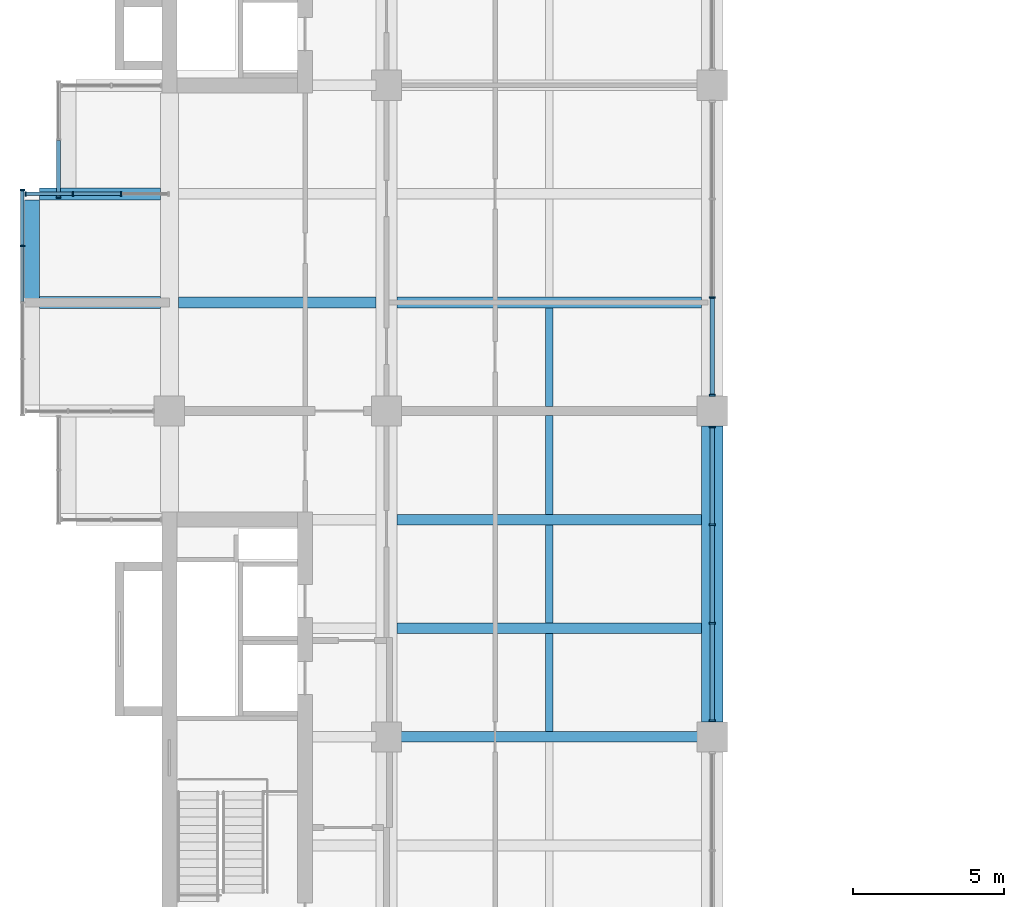
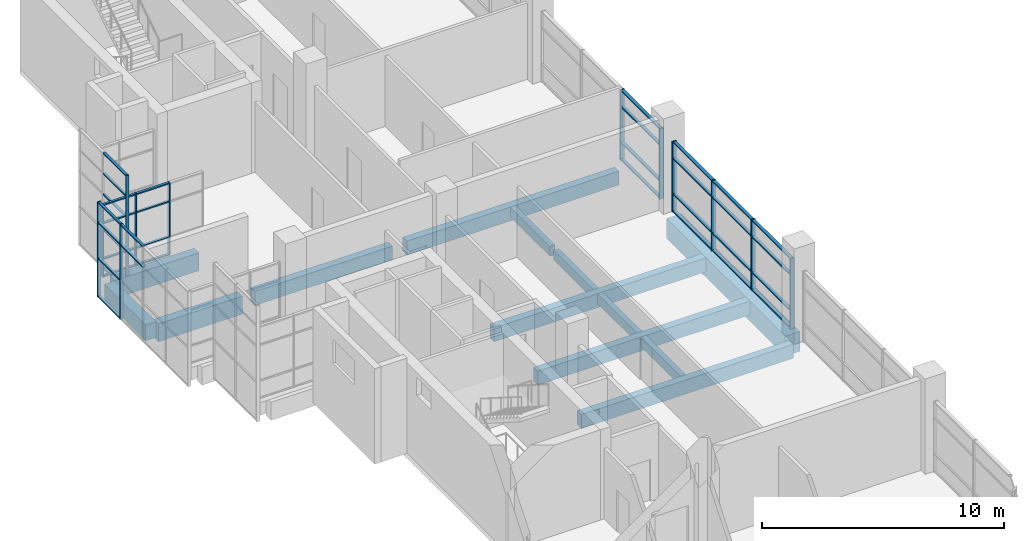
# One storey, part 8 of 30: 47 members, 13 beams, 5 elements without a shape of their own.
"""IFC4 building model written with IfcOpenShell, lengths in metres."""

from ifc_helpers import new_model, si_unit, direction, frame, origin, origin_2d, place, context, subcontext, project, spatial, rectangle, extrude, material, layer, layer_set, material_profile, profile_set, type_object, element, aggregate, save


model = new_model("IFC4")

# Units and contexts
model_context = context("Model", 3, precision=1e-05, world=origin(), true_north=direction((0.0, 1.0)))
body_context = subcontext(model_context, "Body", "Model", "MODEL_VIEW")
ifc_project = project(units=[si_unit("LENGTHUNIT", "METRE"), si_unit("AREAUNIT", "SQUARE_METRE"), si_unit("VOLUMEUNIT", "CUBIC_METRE"), si_unit("PLANEANGLEUNIT", "RADIAN"), si_unit("MASSUNIT", "GRAM", prefix="KILO")], contexts=[model_context])

# Site, building, storey
site_placement = place(None, origin())
site = spatial("IfcSite", under=ifc_project, at=site_placement, CompositionType="ELEMENT")
building_placement = place(site_placement, origin())
building = spatial("IfcBuilding", under=site, at=building_placement, Name="Basin Gate Institute", CompositionType="ELEMENT")
storey_placement = place(building_placement, frame((0.0, 0.0, 36.60009765625)))
storey = spatial("IfcBuildingStorey", under=building, at=storey_placement, Name="L07", CompositionType="ELEMENT", Elevation=36.60009765625)

# Beams
ifc_material_1 = material(Name="Concrete 40 MPa", Category="concrete")
ifc_material_profile_1 = material_profile(ifc_material_1, rectangle(XDim=0.35009765625, YDim=0.699951171875, at=origin_2d()), Name="Beam B1 350 x 700")
ifc_profile_set_1 = profile_set([ifc_material_profile_1], Name="Concrete 40 MPa")
beam_type_1 = type_object("IfcBeamType", Name="Beam B1 R120", PredefinedType="BEAM", material=ifc_profile_set_1)
for number, where, z_axis, x_axis, name in (
    (1, (68.75, 67.5, -0.60009765625), (1.0, 0.0, 0.0), (0.0, 1.0, 0.0), "BEAM/L07/W/EW/10"),
    (2, (68.75, 71.10009765625, -0.60009765625), (1.0, 0.0, 0.0), (0.0, 1.0, 0.0), "BEAM/L07/W/EW/11"),
    (3, (68.75, 74.699951171875, -0.60009765625), (1.0, 0.0, 0.0), (0.0, 1.0, 0.0), "BEAM/L07/W/EW/12"),
    (4, (68.75, 81.89990234375, -0.60009765625), (1.0, 0.0, 0.0), (0.0, 1.0, 0.0), "BEAM/L07/W/EW/14"),
):
    element("IfcBeam", number, at=place(storey_placement, frame(where, z_axis=z_axis, x_axis=x_axis)), inside=storey, type_object=beam_type_1, material=ifc_profile_set_1, Name=name, PredefinedType="BEAM", context=body_context, shape_type="SweptSolid", body=[
        extrude(rectangle(XDim=0.35009765625, YDim=0.699951171875, at=origin_2d()), origin(), (0.0, 0.0, 1.0), 10.10009765625),
    ])
beam_1_placement = place(storey_placement, frame((61.5, 81.89990234375, -0.60009765625), z_axis=(1.0, 0.0, 0.0), x_axis=(0.0, 1.0, 0.0)))
element("IfcBeam", 5, at=beam_1_placement, inside=storey, type_object=beam_type_1, material=ifc_profile_set_1, Name="BEAM/L07/W/OUT/14", PredefinedType="BEAM", context=body_context, shape_type="SweptSolid", body=[
    extrude(rectangle(XDim=0.35009765625, YDim=0.699951171875, at=origin_2d()), origin(), (0.0, 0.0, 1.0), 6.550048828125),
])
ifc_material_2 = material(Name="Concrete 50 MPa", Category="concrete")
ifc_material_profile_2 = material_profile(ifc_material_2, rectangle(XDim=0.39990234375, YDim=0.89990234375, at=origin_2d()), Name="Cantilever beam B3 400 x 900")
ifc_profile_set_2 = profile_set([ifc_material_profile_2], Name="Concrete 50 MPa")
beam_type_2 = type_object("IfcBeamType", Name="Cantilever beam B3 R120", PredefinedType="BEAM", material=ifc_profile_set_2)
for number, where, z_axis, x_axis, name in (
    (6, (56.89990234375, 81.89990234375, -0.7001953125), (1.0, 0.0, 0.0), (0.0, 1.0, 0.0), "BEAM/L07/W/CANT/14"),
    (7, (56.89990234375, 85.5, -0.7001953125), (1.0, 0.0, 0.0), (0.0, 1.0, 0.0), "BEAM/L07/W/CANT/15"),
):
    element("IfcBeam", number, at=place(storey_placement, frame(where, z_axis=z_axis, x_axis=x_axis)), inside=storey, type_object=beam_type_2, material=ifc_profile_set_2, Name=name, PredefinedType="BEAM", context=body_context, shape_type="SweptSolid", body=[
        extrude(rectangle(XDim=0.39990234375, YDim=0.89990234375, at=origin_2d()), origin(), (0.0, 0.0, 1.0), 4.0),
    ])
ifc_material_3 = material(Name="Concrete 50 MPa", Category="concrete")
ifc_material_profile_3 = material_profile(ifc_material_3, rectangle(XDim=0.699951171875, YDim=1.0, at=origin_2d()), Name="Girder G1 700 x 1000")
ifc_profile_set_3 = profile_set([ifc_material_profile_3], Name="Concrete 50 MPa")
beam_type_3 = type_object("IfcBeamType", Name="Girder G1 R120", PredefinedType="BEAM", material=ifc_profile_set_3)
beam_2_placement = place(storey_placement, frame((79.199951171875, 68.0, -0.75), z_axis=(0.0, 1.0, 0.0), x_axis=(-1.0, 0.0, 0.0)))
element("IfcBeam", 8, at=beam_2_placement, inside=storey, type_object=beam_type_3, material=ifc_profile_set_3, Name="GIR/L07/W6/4", PredefinedType="BEAM", context=body_context, shape_type="SweptSolid", body=[
    extrude(rectangle(XDim=0.699951171875, YDim=1.0, at=origin_2d()), origin(), (0.0, 0.0, 1.0), 9.800048828125),
])

# Curtain wall, members
ifc_material_4 = material(Name="Aluminium-framed glazing", Category="aluminium")
ifc_layer_1 = layer(ifc_material_4, 0.14990234375)
ifc_layer_set_1 = layer_set([ifc_layer_1], Name="Capsule front curtain wall CW1")
curtain_wall_type_1 = type_object("IfcCurtainWallType", Name="Capsule front curtain wall CW1", PredefinedType="NOTDEFINED", material=ifc_layer_set_1)
curtain_wall_1_placement = place(storey_placement, origin())
curtain_wall_1 = element("IfcCurtainWall", 9, at=curtain_wall_1_placement, inside=storey, type_object=curtain_wall_type_1, material=ifc_layer_set_1, Name="Capsule front curtain wall W wing capsule end L07 line 15", PredefinedType="NOTDEFINED")
ifc_material_5 = material(Name="Aluminium", Category="aluminium")
ifc_material_profile_4 = material_profile(ifc_material_5, rectangle(XDim=0.14990234375, YDim=0.050048828125, at=origin_2d()), Name="Mullion MU1 150 x 50")
ifc_profile_set_4 = profile_set([ifc_material_profile_4], Name="Aluminium")
member_type_1 = type_object("IfcMemberType", Name="Mullion MU1", PredefinedType="MULLION", material=ifc_profile_set_4)
member_1_placement = place(storey_placement, frame((56.425048828125, 85.5, 0.0), z_axis=(0.0, 0.0, 1.0), x_axis=(0.0, 1.0, 0.0)))
member_1 = element("IfcMember", 10, at=member_1_placement, type_object=member_type_1, material=ifc_profile_set_4, Name="CW1 mullion 1", PredefinedType="MULLION", context=body_context, shape_type="SweptSolid", body=[
    extrude(rectangle(XDim=0.14990234375, YDim=0.050048828125, at=origin_2d()), origin(), (0.0, 0.0, 1.0), 3.64990234375),
])
member_2_placement = place(storey_placement, frame((58.0, 85.5, 0.0), z_axis=(0.0, 0.0, 1.0), x_axis=(0.0, 1.0, 0.0)))
member_2 = element("IfcMember", 11, at=member_2_placement, type_object=member_type_1, material=ifc_profile_set_4, Name="CW1 mullion 2", PredefinedType="MULLION", context=body_context, shape_type="SweptSolid", body=[
    extrude(rectangle(XDim=0.14990234375, YDim=0.050048828125, at=origin_2d()), origin(), (0.0, 0.0, 1.0), 3.64990234375),
])
member_3_placement = place(storey_placement, frame((59.60009765625, 85.5, 0.0), z_axis=(0.0, 0.0, 1.0), x_axis=(0.0, 1.0, 0.0)))
member_3 = element("IfcMember", 12, at=member_3_placement, type_object=member_type_1, material=ifc_profile_set_4, Name="CW1 mullion 3", PredefinedType="MULLION", context=body_context, shape_type="SweptSolid", body=[
    extrude(rectangle(XDim=0.14990234375, YDim=0.050048828125, at=origin_2d()), origin(), (0.0, 0.0, 1.0), 3.64990234375),
])

curtain_wall_2_placement = place(storey_placement, origin())
curtain_wall_2 = element("IfcCurtainWall", 13, at=curtain_wall_2_placement, inside=storey, type_object=curtain_wall_type_1, material=ifc_layer_set_1, Name="Capsule front curtain wall W wing capsule 2 L07 front 2", PredefinedType="NOTDEFINED")
member_4_placement = place(storey_placement, frame((56.324951171875, 83.77490234375, -1.050048828125), z_axis=(0.0, 0.0, 1.0), x_axis=(-1.0, 0.0, 0.0)))
member_4 = element("IfcMember", 14, at=member_4_placement, type_object=member_type_1, material=ifc_profile_set_4, Name="CW1 mullion 4", PredefinedType="MULLION", context=body_context, shape_type="SweptSolid", body=[
    extrude(rectangle(XDim=0.14990234375, YDim=0.050048828125, at=origin_2d()), origin(), (0.0, 0.0, 1.0), 4.800048828125),
])
member_5_placement = place(storey_placement, frame((56.324951171875, 85.625, -1.050048828125), z_axis=(0.0, 0.0, 1.0), x_axis=(-1.0, 0.0, 0.0)))
member_5 = element("IfcMember", 15, at=member_5_placement, type_object=member_type_1, material=ifc_profile_set_4, Name="CW1 mullion 5", PredefinedType="MULLION", context=body_context, shape_type="SweptSolid", body=[
    extrude(rectangle(XDim=0.14990234375, YDim=0.050048828125, at=origin_2d()), origin(), (0.0, 0.0, 1.0), 4.800048828125),
])

# Curtain wall, member
curtain_wall_3_placement = place(storey_placement, origin())
curtain_wall_3 = element("IfcCurtainWall", 16, at=curtain_wall_3_placement, inside=storey, type_object=curtain_wall_type_1, material=ifc_layer_set_1, Name="Capsule front curtain wall W wing capsule 2 L07 front 4", PredefinedType="NOTDEFINED")
member_6_placement = place(storey_placement, frame((57.52490234375, 85.375, -1.050048828125), z_axis=(0.0, 0.0, 1.0), x_axis=(-1.0, 0.0, 0.0)))
member_6 = element("IfcMember", 17, at=member_6_placement, type_object=member_type_1, material=ifc_profile_set_4, Name="CW1 mullion 1", PredefinedType="MULLION", context=body_context, shape_type="SweptSolid", body=[
    extrude(rectangle(XDim=0.14990234375, YDim=0.050048828125, at=origin_2d()), origin(), (0.0, 0.0, 1.0), 5.849853515625),
])

# Curtain wall, members
ifc_material_6 = material(Name="Aluminium-framed glazing", Category="aluminium")
ifc_layer_2 = layer(ifc_material_6, 0.199951171875)
ifc_layer_set_2 = layer_set([ifc_layer_2], Name="Atrium curtain wall CW2")
curtain_wall_type_2 = type_object("IfcCurtainWallType", Name="Atrium curtain wall CW2", PredefinedType="NOTDEFINED", material=ifc_layer_set_2)
curtain_wall_4_placement = place(storey_placement, origin())
curtain_wall_4 = element("IfcCurtainWall", 18, at=curtain_wall_4_placement, inside=storey, type_object=curtain_wall_type_2, material=ifc_layer_set_2, Name="Atrium curtain wall W wing atrium bay 4 L07", PredefinedType="NOTDEFINED")
ifc_material_7 = material(Name="Aluminium", Category="aluminium")
ifc_material_profile_5 = material_profile(ifc_material_7, rectangle(XDim=0.199951171875, YDim=0.06005859375, at=origin_2d()), Name="Mullion MU2 200 x 60")
ifc_profile_set_5 = profile_set([ifc_material_profile_5], Name="Aluminium")
member_type_2 = type_object("IfcMemberType", Name="Mullion MU2", PredefinedType="MULLION", material=ifc_profile_set_5)
member_7_placement = place(storey_placement, frame((79.199951171875, 68.030029296875, 0.0), z_axis=(0.0, 0.0, 1.0), x_axis=(-1.0, 0.0, 0.0)))
member_7 = element("IfcMember", 19, at=member_7_placement, type_object=member_type_2, material=ifc_profile_set_5, Name="CW2 mullion 1", PredefinedType="MULLION", context=body_context, shape_type="SweptSolid", body=[
    extrude(rectangle(XDim=0.199951171875, YDim=0.06005859375, at=origin_2d()), origin(), (0.0, 0.0, 1.0), 3.5498046875),
])
member_8_placement = place(storey_placement, frame((79.199951171875, 71.2666015625, 0.0), z_axis=(0.0, 0.0, 1.0), x_axis=(-1.0, 0.0, 0.0)))
member_8 = element("IfcMember", 20, at=member_8_placement, type_object=member_type_2, material=ifc_profile_set_5, Name="CW2 mullion 2", PredefinedType="MULLION", context=body_context, shape_type="SweptSolid", body=[
    extrude(rectangle(XDim=0.199951171875, YDim=0.06005859375, at=origin_2d()), origin(), (0.0, 0.0, 1.0), 3.5498046875),
])
member_9_placement = place(storey_placement, frame((79.199951171875, 74.533447265625, 0.0), z_axis=(0.0, 0.0, 1.0), x_axis=(-1.0, 0.0, 0.0)))
member_9 = element("IfcMember", 21, at=member_9_placement, type_object=member_type_2, material=ifc_profile_set_5, Name="CW2 mullion 3", PredefinedType="MULLION", context=body_context, shape_type="SweptSolid", body=[
    extrude(rectangle(XDim=0.199951171875, YDim=0.06005859375, at=origin_2d()), origin(), (0.0, 0.0, 1.0), 3.5498046875),
])
member_10_placement = place(storey_placement, frame((79.199951171875, 77.77001953125, 0.0), z_axis=(0.0, 0.0, 1.0), x_axis=(-1.0, 0.0, 0.0)))
member_10 = element("IfcMember", 22, at=member_10_placement, type_object=member_type_2, material=ifc_profile_set_5, Name="CW2 mullion 4", PredefinedType="MULLION", context=body_context, shape_type="SweptSolid", body=[
    extrude(rectangle(XDim=0.199951171875, YDim=0.06005859375, at=origin_2d()), origin(), (0.0, 0.0, 1.0), 3.5498046875),
])

curtain_wall_5_placement = place(storey_placement, origin())
curtain_wall_5 = element("IfcCurtainWall", 23, at=curtain_wall_5_placement, inside=storey, type_object=curtain_wall_type_2, material=ifc_layer_set_2, Name="Atrium curtain wall W wing atrium bay 5 L07", PredefinedType="NOTDEFINED")
member_11_placement = place(storey_placement, frame((79.199951171875, 78.830078125, 0.0), z_axis=(0.0, 0.0, 1.0), x_axis=(-1.0, 0.0, 0.0)))
member_11 = element("IfcMember", 24, at=member_11_placement, type_object=member_type_2, material=ifc_profile_set_5, Name="CW2 mullion 1", PredefinedType="MULLION", context=body_context, shape_type="SweptSolid", body=[
    extrude(rectangle(XDim=0.199951171875, YDim=0.06005859375, at=origin_2d()), origin(), (0.0, 0.0, 1.0), 3.5498046875),
])
member_12_placement = place(storey_placement, frame((79.199951171875, 82.066650390625, 0.0), z_axis=(0.0, 0.0, 1.0), x_axis=(-1.0, 0.0, 0.0)))
member_12 = element("IfcMember", 25, at=member_12_placement, type_object=member_type_2, material=ifc_profile_set_5, Name="CW2 mullion 2", PredefinedType="MULLION", context=body_context, shape_type="SweptSolid", body=[
    extrude(rectangle(XDim=0.199951171875, YDim=0.06005859375, at=origin_2d()), origin(), (0.0, 0.0, 1.0), 3.5498046875),
])

# Beams
ifc_material_8 = material(Name="Concrete 40 MPa", Category="concrete")
ifc_material_profile_6 = material_profile(ifc_material_8, rectangle(XDim=0.25, YDim=0.5, at=origin_2d()), Name="Rib R1 250 x 500")
ifc_profile_set_6 = profile_set([ifc_material_profile_6], Name="Concrete 40 MPa")
beam_type_4 = type_object("IfcBeamType", Name="Rib R1 R120", PredefinedType="JOIST", material=ifc_profile_set_6)
for number, where, z_axis, x_axis, name in (
    (26, (73.800048828125, 67.675048828125, -0.5), (0.0, 1.0, 0.0), (-1.0, 0.0, 0.0), "BEAM/L07/W/RIB/10"),
    (27, (73.800048828125, 71.27490234375, -0.5), (0.0, 1.0, 0.0), (-1.0, 0.0, 0.0), "BEAM/L07/W/RIB/11"),
):
    element("IfcBeam", number, at=place(storey_placement, frame(where, z_axis=z_axis, x_axis=x_axis)), inside=storey, type_object=beam_type_4, material=ifc_profile_set_6, Name=name, PredefinedType="JOIST", context=body_context, shape_type="SweptSolid", body=[
        extrude(rectangle(XDim=0.25, YDim=0.5, at=origin_2d()), origin(), (0.0, 0.0, 1.0), 3.25),
    ])
beam_3_placement = place(storey_placement, frame((73.800048828125, 74.875, -0.5), z_axis=(0.0, 1.0, 0.0), x_axis=(-1.0, 0.0, 0.0)))
element("IfcBeam", 28, at=beam_3_placement, inside=storey, type_object=beam_type_4, material=ifc_profile_set_6, Name="BEAM/L07/W/RIB/12", PredefinedType="JOIST", context=body_context, shape_type="SweptSolid", body=[
    extrude(rectangle(XDim=0.25, YDim=0.5, at=origin_2d()), origin(), (0.0, 0.0, 1.0), 3.27490234375),
])
beam_4_placement = place(storey_placement, frame((73.800048828125, 78.449951171875, -0.5), z_axis=(0.0, 1.0, 0.0), x_axis=(-1.0, 0.0, 0.0)))
element("IfcBeam", 29, at=beam_4_placement, inside=storey, type_object=beam_type_4, material=ifc_profile_set_6, Name="BEAM/L07/W/RIB/13", PredefinedType="JOIST", context=body_context, shape_type="SweptSolid", body=[
    extrude(rectangle(XDim=0.25, YDim=0.5, at=origin_2d()), origin(), (0.0, 0.0, 1.0), 3.275146484375),
])
ifc_material_9 = material(Name="Concrete 50 MPa", Category="concrete")
ifc_material_profile_7 = material_profile(ifc_material_9, rectangle(XDim=0.5, YDim=0.800048828125, at=origin_2d()), Name="Tip beam TB1 500 x 800")
ifc_profile_set_7 = profile_set([ifc_material_profile_7], Name="Concrete 50 MPa")
beam_type_5 = type_object("IfcBeamType", Name="Tip beam TB1 R120", PredefinedType="SPANDREL", material=ifc_profile_set_7)
beam_5_placement = place(storey_placement, frame((56.64990234375, 81.89990234375, -0.650146484375), z_axis=(0.0, 1.0, 0.0), x_axis=(-1.0, 0.0, 0.0)))
element("IfcBeam", 30, at=beam_5_placement, inside=storey, type_object=beam_type_5, material=ifc_profile_set_7, Name="BEAM/L07/W/TIP/7", PredefinedType="SPANDREL", context=body_context, shape_type="SweptSolid", body=[
    extrude(rectangle(XDim=0.5, YDim=0.800048828125, at=origin_2d()), origin(), (0.0, 0.0, 1.0), 3.400146484375),
])

# Member
ifc_material_10 = material(Name="Aluminium", Category="aluminium")
ifc_material_profile_8 = material_profile(ifc_material_10, rectangle(XDim=0.1201171875, YDim=0.06005859375, at=origin_2d()), Name="Transom TR1 120 x 60")
ifc_profile_set_8 = profile_set([ifc_material_profile_8], Name="Aluminium")
member_type_3 = type_object("IfcMemberType", Name="Transom TR1", PredefinedType="USERDEFINED", material=ifc_profile_set_8)
member_13_placement = place(storey_placement, frame((56.449951171875, 85.5, 0.02978515625), z_axis=(1.0, 0.0, 0.0), x_axis=(0.0, 1.0, 0.0)))
member_13 = element("IfcMember", 31, at=member_13_placement, type_object=member_type_3, material=ifc_profile_set_8, Name="CW1 transom 1.1", ObjectType="TRANSOM", PredefinedType="USERDEFINED", context=body_context, shape_type="SweptSolid", body=[
    extrude(rectangle(XDim=0.1201171875, YDim=0.06005859375, at=origin_2d()), origin(), (0.0, 0.0, 1.0), 1.525146484375),
])

member_14_placement = place(storey_placement, frame((56.449951171875, 85.5, 0.89990234375), z_axis=(1.0, 0.0, 0.0), x_axis=(0.0, 1.0, 0.0)))
member_14 = element("IfcMember", 32, at=member_14_placement, type_object=member_type_3, material=ifc_profile_set_8, Name="CW1 transom 1.2", ObjectType="TRANSOM", PredefinedType="USERDEFINED", context=body_context, shape_type="SweptSolid", body=[
    extrude(rectangle(XDim=0.1201171875, YDim=0.06005859375, at=origin_2d()), origin(), (0.0, 0.0, 1.0), 1.525146484375),
])

member_15_placement = place(storey_placement, frame((56.449951171875, 85.5, 2.699951171875), z_axis=(1.0, 0.0, 0.0), x_axis=(0.0, 1.0, 0.0)))
member_15 = element("IfcMember", 33, at=member_15_placement, type_object=member_type_3, material=ifc_profile_set_8, Name="CW1 transom 1.3", ObjectType="TRANSOM", PredefinedType="USERDEFINED", context=body_context, shape_type="SweptSolid", body=[
    extrude(rectangle(XDim=0.1201171875, YDim=0.06005859375, at=origin_2d()), origin(), (0.0, 0.0, 1.0), 1.525146484375),
])

member_16_placement = place(storey_placement, frame((56.449951171875, 85.5, 3.619873046875), z_axis=(1.0, 0.0, 0.0), x_axis=(0.0, 1.0, 0.0)))
member_16 = element("IfcMember", 34, at=member_16_placement, type_object=member_type_3, material=ifc_profile_set_8, Name="CW1 transom 1.4", ObjectType="TRANSOM", PredefinedType="USERDEFINED", context=body_context, shape_type="SweptSolid", body=[
    extrude(rectangle(XDim=0.1201171875, YDim=0.06005859375, at=origin_2d()), origin(), (0.0, 0.0, 1.0), 1.525146484375),
])

member_17_placement = place(storey_placement, frame((58.02490234375, 85.5, 0.02978515625), z_axis=(1.0, 0.0, 0.0), x_axis=(0.0, 1.0, 0.0)))
member_17 = element("IfcMember", 35, at=member_17_placement, type_object=member_type_3, material=ifc_profile_set_8, Name="CW1 transom 2.1", ObjectType="TRANSOM", PredefinedType="USERDEFINED", context=body_context, shape_type="SweptSolid", body=[
    extrude(rectangle(XDim=0.1201171875, YDim=0.06005859375, at=origin_2d()), origin(), (0.0, 0.0, 1.0), 1.550048828125),
])

member_18_placement = place(storey_placement, frame((58.02490234375, 85.5, 0.89990234375), z_axis=(1.0, 0.0, 0.0), x_axis=(0.0, 1.0, 0.0)))
member_18 = element("IfcMember", 36, at=member_18_placement, type_object=member_type_3, material=ifc_profile_set_8, Name="CW1 transom 2.2", ObjectType="TRANSOM", PredefinedType="USERDEFINED", context=body_context, shape_type="SweptSolid", body=[
    extrude(rectangle(XDim=0.1201171875, YDim=0.06005859375, at=origin_2d()), origin(), (0.0, 0.0, 1.0), 1.550048828125),
])

member_19_placement = place(storey_placement, frame((58.02490234375, 85.5, 2.699951171875), z_axis=(1.0, 0.0, 0.0), x_axis=(0.0, 1.0, 0.0)))
member_19 = element("IfcMember", 37, at=member_19_placement, type_object=member_type_3, material=ifc_profile_set_8, Name="CW1 transom 2.3", ObjectType="TRANSOM", PredefinedType="USERDEFINED", context=body_context, shape_type="SweptSolid", body=[
    extrude(rectangle(XDim=0.1201171875, YDim=0.06005859375, at=origin_2d()), origin(), (0.0, 0.0, 1.0), 1.550048828125),
])

member_20_placement = place(storey_placement, frame((58.02490234375, 85.5, 3.619873046875), z_axis=(1.0, 0.0, 0.0), x_axis=(0.0, 1.0, 0.0)))
member_20 = element("IfcMember", 38, at=member_20_placement, type_object=member_type_3, material=ifc_profile_set_8, Name="CW1 transom 2.4", ObjectType="TRANSOM", PredefinedType="USERDEFINED", context=body_context, shape_type="SweptSolid", body=[
    extrude(rectangle(XDim=0.1201171875, YDim=0.06005859375, at=origin_2d()), origin(), (0.0, 0.0, 1.0), 1.550048828125),
])

aggregate(curtain_wall_1, [member_1, member_2, member_3, member_13, member_14, member_15, member_16, member_17, member_18, member_19, member_20])

member_21_placement = place(storey_placement, frame((56.324951171875, 81.925048828125, 2.699951171875), z_axis=(0.0, 1.0, 0.0), x_axis=(-1.0, 0.0, 0.0)))
member_21 = element("IfcMember", 39, at=member_21_placement, type_object=member_type_3, material=ifc_profile_set_8, Name="CW1 transom 3.3", ObjectType="TRANSOM", PredefinedType="USERDEFINED", context=body_context, shape_type="SweptSolid", body=[
    extrude(rectangle(XDim=0.1201171875, YDim=0.06005859375, at=origin_2d()), origin(), (0.0, 0.0, 1.0), 1.824951171875),
])

member_22_placement = place(storey_placement, frame((56.324951171875, 81.925048828125, 3.719970703125), z_axis=(0.0, 1.0, 0.0), x_axis=(-1.0, 0.0, 0.0)))
member_22 = element("IfcMember", 40, at=member_22_placement, type_object=member_type_3, material=ifc_profile_set_8, Name="CW1 transom 3.4", ObjectType="TRANSOM", PredefinedType="USERDEFINED", context=body_context, shape_type="SweptSolid", body=[
    extrude(rectangle(XDim=0.1201171875, YDim=0.06005859375, at=origin_2d()), origin(), (0.0, 0.0, 1.0), 1.824951171875),
])

member_23_placement = place(storey_placement, frame((56.324951171875, 83.800048828125, -1.02001953125), z_axis=(0.0, 1.0, 0.0), x_axis=(-1.0, 0.0, 0.0)))
member_23 = element("IfcMember", 41, at=member_23_placement, type_object=member_type_3, material=ifc_profile_set_8, Name="CW1 transom 4.1", ObjectType="TRANSOM", PredefinedType="USERDEFINED", context=body_context, shape_type="SweptSolid", body=[
    extrude(rectangle(XDim=0.1201171875, YDim=0.06005859375, at=origin_2d()), origin(), (0.0, 0.0, 1.0), 1.800048828125),
])

member_24_placement = place(storey_placement, frame((56.324951171875, 83.800048828125, 0.89990234375), z_axis=(0.0, 1.0, 0.0), x_axis=(-1.0, 0.0, 0.0)))
member_24 = element("IfcMember", 42, at=member_24_placement, type_object=member_type_3, material=ifc_profile_set_8, Name="CW1 transom 4.2", ObjectType="TRANSOM", PredefinedType="USERDEFINED", context=body_context, shape_type="SweptSolid", body=[
    extrude(rectangle(XDim=0.1201171875, YDim=0.06005859375, at=origin_2d()), origin(), (0.0, 0.0, 1.0), 1.800048828125),
])

member_25_placement = place(storey_placement, frame((56.324951171875, 83.800048828125, 2.699951171875), z_axis=(0.0, 1.0, 0.0), x_axis=(-1.0, 0.0, 0.0)))
member_25 = element("IfcMember", 43, at=member_25_placement, type_object=member_type_3, material=ifc_profile_set_8, Name="CW1 transom 4.3", ObjectType="TRANSOM", PredefinedType="USERDEFINED", context=body_context, shape_type="SweptSolid", body=[
    extrude(rectangle(XDim=0.1201171875, YDim=0.06005859375, at=origin_2d()), origin(), (0.0, 0.0, 1.0), 1.800048828125),
])

member_26_placement = place(storey_placement, frame((56.324951171875, 83.800048828125, 3.719970703125), z_axis=(0.0, 1.0, 0.0), x_axis=(-1.0, 0.0, 0.0)))
member_26 = element("IfcMember", 44, at=member_26_placement, type_object=member_type_3, material=ifc_profile_set_8, Name="CW1 transom 4.4", ObjectType="TRANSOM", PredefinedType="USERDEFINED", context=body_context, shape_type="SweptSolid", body=[
    extrude(rectangle(XDim=0.1201171875, YDim=0.06005859375, at=origin_2d()), origin(), (0.0, 0.0, 1.0), 1.800048828125),
])

aggregate(curtain_wall_2, [member_4, member_5, member_21, member_22, member_23, member_24, member_25, member_26])

member_27_placement = place(storey_placement, frame((57.52490234375, 85.39990234375, -1.02001953125), z_axis=(0.0, 1.0, 0.0), x_axis=(-1.0, 0.0, 0.0)))
member_27 = element("IfcMember", 45, at=member_27_placement, type_object=member_type_3, material=ifc_profile_set_8, Name="CW1 transom 1.1", ObjectType="TRANSOM", PredefinedType="USERDEFINED", context=body_context, shape_type="SweptSolid", body=[
    extrude(rectangle(XDim=0.1201171875, YDim=0.06005859375, at=origin_2d()), origin(), (0.0, 0.0, 1.0), 1.875),
])

member_28_placement = place(storey_placement, frame((57.52490234375, 85.39990234375, 0.89990234375), z_axis=(0.0, 1.0, 0.0), x_axis=(-1.0, 0.0, 0.0)))
member_28 = element("IfcMember", 46, at=member_28_placement, type_object=member_type_3, material=ifc_profile_set_8, Name="CW1 transom 1.2", ObjectType="TRANSOM", PredefinedType="USERDEFINED", context=body_context, shape_type="SweptSolid", body=[
    extrude(rectangle(XDim=0.1201171875, YDim=0.06005859375, at=origin_2d()), origin(), (0.0, 0.0, 1.0), 1.875),
])

member_29_placement = place(storey_placement, frame((57.52490234375, 85.39990234375, 2.699951171875), z_axis=(0.0, 1.0, 0.0), x_axis=(-1.0, 0.0, 0.0)))
member_29 = element("IfcMember", 47, at=member_29_placement, type_object=member_type_3, material=ifc_profile_set_8, Name="CW1 transom 1.3", ObjectType="TRANSOM", PredefinedType="USERDEFINED", context=body_context, shape_type="SweptSolid", body=[
    extrude(rectangle(XDim=0.1201171875, YDim=0.06005859375, at=origin_2d()), origin(), (0.0, 0.0, 1.0), 1.875),
])

member_30_placement = place(storey_placement, frame((57.52490234375, 85.39990234375, 3.75), z_axis=(0.0, 1.0, 0.0), x_axis=(-1.0, 0.0, 0.0)))
member_30 = element("IfcMember", 48, at=member_30_placement, type_object=member_type_3, material=ifc_profile_set_8, Name="CW1 transom 1.4", ObjectType="TRANSOM", PredefinedType="USERDEFINED", context=body_context, shape_type="SweptSolid", body=[
    extrude(rectangle(XDim=0.1201171875, YDim=0.06005859375, at=origin_2d()), origin(), (0.0, 0.0, 1.0), 1.875),
])

member_31_placement = place(storey_placement, frame((57.52490234375, 85.39990234375, 4.77001953125), z_axis=(0.0, 1.0, 0.0), x_axis=(-1.0, 0.0, 0.0)))
member_31 = element("IfcMember", 49, at=member_31_placement, type_object=member_type_3, material=ifc_profile_set_8, Name="CW1 transom 1.5", ObjectType="TRANSOM", PredefinedType="USERDEFINED", context=body_context, shape_type="SweptSolid", body=[
    extrude(rectangle(XDim=0.1201171875, YDim=0.06005859375, at=origin_2d()), origin(), (0.0, 0.0, 1.0), 1.875),
])

aggregate(curtain_wall_3, [member_6, member_27, member_28, member_29, member_30, member_31])

ifc_material_11 = material(Name="Aluminium", Category="aluminium")
ifc_material_profile_9 = material_profile(ifc_material_11, rectangle(XDim=0.14990234375, YDim=0.06005859375, at=origin_2d()), Name="Transom TR2 150 x 60")
ifc_profile_set_9 = profile_set([ifc_material_profile_9], Name="Aluminium")
member_type_4 = type_object("IfcMemberType", Name="Transom TR2", PredefinedType="USERDEFINED", material=ifc_profile_set_9)
member_32_placement = place(storey_placement, frame((79.199951171875, 68.06005859375, 0.02978515625), z_axis=(0.0, 1.0, 0.0), x_axis=(-1.0, 0.0, 0.0)))
member_32 = element("IfcMember", 50, at=member_32_placement, type_object=member_type_4, material=ifc_profile_set_9, Name="CW2 transom 1.1", ObjectType="TRANSOM", PredefinedType="USERDEFINED", context=body_context, shape_type="SweptSolid", body=[
    extrude(rectangle(XDim=0.14990234375, YDim=0.06005859375, at=origin_2d()), origin(), (0.0, 0.0, 1.0), 3.176513671875),
])

member_33_placement = place(storey_placement, frame((79.199951171875, 68.06005859375, 0.89990234375), z_axis=(0.0, 1.0, 0.0), x_axis=(-1.0, 0.0, 0.0)))
member_33 = element("IfcMember", 51, at=member_33_placement, type_object=member_type_4, material=ifc_profile_set_9, Name="CW2 transom 1.2", ObjectType="TRANSOM", PredefinedType="USERDEFINED", context=body_context, shape_type="SweptSolid", body=[
    extrude(rectangle(XDim=0.14990234375, YDim=0.06005859375, at=origin_2d()), origin(), (0.0, 0.0, 1.0), 3.176513671875),
])

member_34_placement = place(storey_placement, frame((79.199951171875, 68.06005859375, 2.699951171875), z_axis=(0.0, 1.0, 0.0), x_axis=(-1.0, 0.0, 0.0)))
member_34 = element("IfcMember", 52, at=member_34_placement, type_object=member_type_4, material=ifc_profile_set_9, Name="CW2 transom 1.3", ObjectType="TRANSOM", PredefinedType="USERDEFINED", context=body_context, shape_type="SweptSolid", body=[
    extrude(rectangle(XDim=0.14990234375, YDim=0.06005859375, at=origin_2d()), origin(), (0.0, 0.0, 1.0), 3.176513671875),
])

member_35_placement = place(storey_placement, frame((79.199951171875, 68.06005859375, 3.52001953125), z_axis=(0.0, 1.0, 0.0), x_axis=(-1.0, 0.0, 0.0)))
member_35 = element("IfcMember", 53, at=member_35_placement, type_object=member_type_4, material=ifc_profile_set_9, Name="CW2 transom 1.4", ObjectType="TRANSOM", PredefinedType="USERDEFINED", context=body_context, shape_type="SweptSolid", body=[
    extrude(rectangle(XDim=0.14990234375, YDim=0.06005859375, at=origin_2d()), origin(), (0.0, 0.0, 1.0), 3.176513671875),
])

member_36_placement = place(storey_placement, frame((79.199951171875, 71.296630859375, 0.02978515625), z_axis=(0.0, 1.0, 0.0), x_axis=(-1.0, 0.0, 0.0)))
member_36 = element("IfcMember", 54, at=member_36_placement, type_object=member_type_4, material=ifc_profile_set_9, Name="CW2 transom 2.1", ObjectType="TRANSOM", PredefinedType="USERDEFINED", context=body_context, shape_type="SweptSolid", body=[
    extrude(rectangle(XDim=0.14990234375, YDim=0.06005859375, at=origin_2d()), origin(), (0.0, 0.0, 1.0), 3.206787109375),
])

member_37_placement = place(storey_placement, frame((79.199951171875, 71.296630859375, 0.89990234375), z_axis=(0.0, 1.0, 0.0), x_axis=(-1.0, 0.0, 0.0)))
member_37 = element("IfcMember", 55, at=member_37_placement, type_object=member_type_4, material=ifc_profile_set_9, Name="CW2 transom 2.2", ObjectType="TRANSOM", PredefinedType="USERDEFINED", context=body_context, shape_type="SweptSolid", body=[
    extrude(rectangle(XDim=0.14990234375, YDim=0.06005859375, at=origin_2d()), origin(), (0.0, 0.0, 1.0), 3.206787109375),
])

member_38_placement = place(storey_placement, frame((79.199951171875, 71.296630859375, 2.699951171875), z_axis=(0.0, 1.0, 0.0), x_axis=(-1.0, 0.0, 0.0)))
member_38 = element("IfcMember", 56, at=member_38_placement, type_object=member_type_4, material=ifc_profile_set_9, Name="CW2 transom 2.3", ObjectType="TRANSOM", PredefinedType="USERDEFINED", context=body_context, shape_type="SweptSolid", body=[
    extrude(rectangle(XDim=0.14990234375, YDim=0.06005859375, at=origin_2d()), origin(), (0.0, 0.0, 1.0), 3.206787109375),
])

member_39_placement = place(storey_placement, frame((79.199951171875, 71.296630859375, 3.52001953125), z_axis=(0.0, 1.0, 0.0), x_axis=(-1.0, 0.0, 0.0)))
member_39 = element("IfcMember", 57, at=member_39_placement, type_object=member_type_4, material=ifc_profile_set_9, Name="CW2 transom 2.4", ObjectType="TRANSOM", PredefinedType="USERDEFINED", context=body_context, shape_type="SweptSolid", body=[
    extrude(rectangle(XDim=0.14990234375, YDim=0.06005859375, at=origin_2d()), origin(), (0.0, 0.0, 1.0), 3.206787109375),
])

member_40_placement = place(storey_placement, frame((79.199951171875, 74.563232421875, 0.02978515625), z_axis=(0.0, 1.0, 0.0), x_axis=(-1.0, 0.0, 0.0)))
member_40 = element("IfcMember", 58, at=member_40_placement, type_object=member_type_4, material=ifc_profile_set_9, Name="CW2 transom 3.1", ObjectType="TRANSOM", PredefinedType="USERDEFINED", context=body_context, shape_type="SweptSolid", body=[
    extrude(rectangle(XDim=0.14990234375, YDim=0.06005859375, at=origin_2d()), origin(), (0.0, 0.0, 1.0), 3.1767578125),
])

member_41_placement = place(storey_placement, frame((79.199951171875, 74.563232421875, 0.89990234375), z_axis=(0.0, 1.0, 0.0), x_axis=(-1.0, 0.0, 0.0)))
member_41 = element("IfcMember", 59, at=member_41_placement, type_object=member_type_4, material=ifc_profile_set_9, Name="CW2 transom 3.2", ObjectType="TRANSOM", PredefinedType="USERDEFINED", context=body_context, shape_type="SweptSolid", body=[
    extrude(rectangle(XDim=0.14990234375, YDim=0.06005859375, at=origin_2d()), origin(), (0.0, 0.0, 1.0), 3.1767578125),
])

member_42_placement = place(storey_placement, frame((79.199951171875, 74.563232421875, 2.699951171875), z_axis=(0.0, 1.0, 0.0), x_axis=(-1.0, 0.0, 0.0)))
member_42 = element("IfcMember", 60, at=member_42_placement, type_object=member_type_4, material=ifc_profile_set_9, Name="CW2 transom 3.3", ObjectType="TRANSOM", PredefinedType="USERDEFINED", context=body_context, shape_type="SweptSolid", body=[
    extrude(rectangle(XDim=0.14990234375, YDim=0.06005859375, at=origin_2d()), origin(), (0.0, 0.0, 1.0), 3.1767578125),
])

member_43_placement = place(storey_placement, frame((79.199951171875, 74.563232421875, 3.52001953125), z_axis=(0.0, 1.0, 0.0), x_axis=(-1.0, 0.0, 0.0)))
member_43 = element("IfcMember", 61, at=member_43_placement, type_object=member_type_4, material=ifc_profile_set_9, Name="CW2 transom 3.4", ObjectType="TRANSOM", PredefinedType="USERDEFINED", context=body_context, shape_type="SweptSolid", body=[
    extrude(rectangle(XDim=0.14990234375, YDim=0.06005859375, at=origin_2d()), origin(), (0.0, 0.0, 1.0), 3.1767578125),
])

aggregate(curtain_wall_4, [member_7, member_8, member_9, member_10, member_32, member_33, member_34, member_35, member_36, member_37, member_38, member_39, member_40, member_41, member_42, member_43])

member_44_placement = place(storey_placement, frame((79.199951171875, 78.860107421875, 0.02978515625), z_axis=(0.0, 1.0, 0.0), x_axis=(-1.0, 0.0, 0.0)))
member_44 = element("IfcMember", 62, at=member_44_placement, type_object=member_type_4, material=ifc_profile_set_9, Name="CW2 transom 1.1", ObjectType="TRANSOM", PredefinedType="USERDEFINED", context=body_context, shape_type="SweptSolid", body=[
    extrude(rectangle(XDim=0.14990234375, YDim=0.06005859375, at=origin_2d()), origin(), (0.0, 0.0, 1.0), 3.176513671875),
])

member_45_placement = place(storey_placement, frame((79.199951171875, 78.860107421875, 0.89990234375), z_axis=(0.0, 1.0, 0.0), x_axis=(-1.0, 0.0, 0.0)))
member_45 = element("IfcMember", 63, at=member_45_placement, type_object=member_type_4, material=ifc_profile_set_9, Name="CW2 transom 1.2", ObjectType="TRANSOM", PredefinedType="USERDEFINED", context=body_context, shape_type="SweptSolid", body=[
    extrude(rectangle(XDim=0.14990234375, YDim=0.06005859375, at=origin_2d()), origin(), (0.0, 0.0, 1.0), 3.176513671875),
])

member_46_placement = place(storey_placement, frame((79.199951171875, 78.860107421875, 2.699951171875), z_axis=(0.0, 1.0, 0.0), x_axis=(-1.0, 0.0, 0.0)))
member_46 = element("IfcMember", 64, at=member_46_placement, type_object=member_type_4, material=ifc_profile_set_9, Name="CW2 transom 1.3", ObjectType="TRANSOM", PredefinedType="USERDEFINED", context=body_context, shape_type="SweptSolid", body=[
    extrude(rectangle(XDim=0.14990234375, YDim=0.06005859375, at=origin_2d()), origin(), (0.0, 0.0, 1.0), 3.176513671875),
])

member_47_placement = place(storey_placement, frame((79.199951171875, 78.860107421875, 3.52001953125), z_axis=(0.0, 1.0, 0.0), x_axis=(-1.0, 0.0, 0.0)))
member_47 = element("IfcMember", 65, at=member_47_placement, type_object=member_type_4, material=ifc_profile_set_9, Name="CW2 transom 1.4", ObjectType="TRANSOM", PredefinedType="USERDEFINED", context=body_context, shape_type="SweptSolid", body=[
    extrude(rectangle(XDim=0.14990234375, YDim=0.06005859375, at=origin_2d()), origin(), (0.0, 0.0, 1.0), 3.176513671875),
])

aggregate(curtain_wall_5, [member_11, member_12, member_44, member_45, member_46, member_47])

save(model, "model.ifc")
